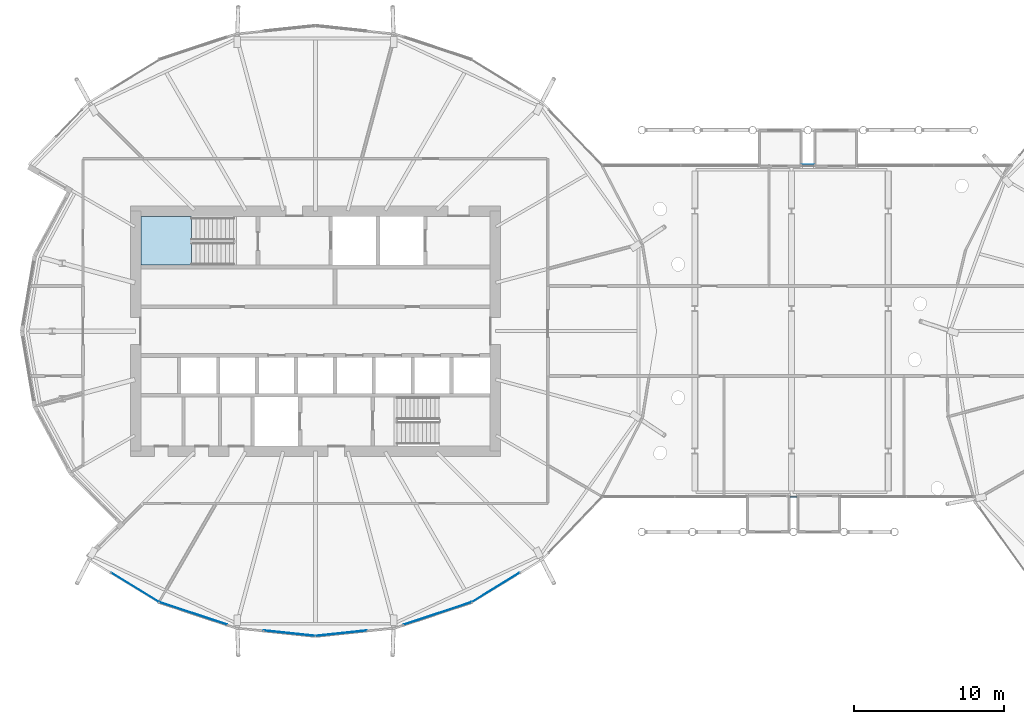
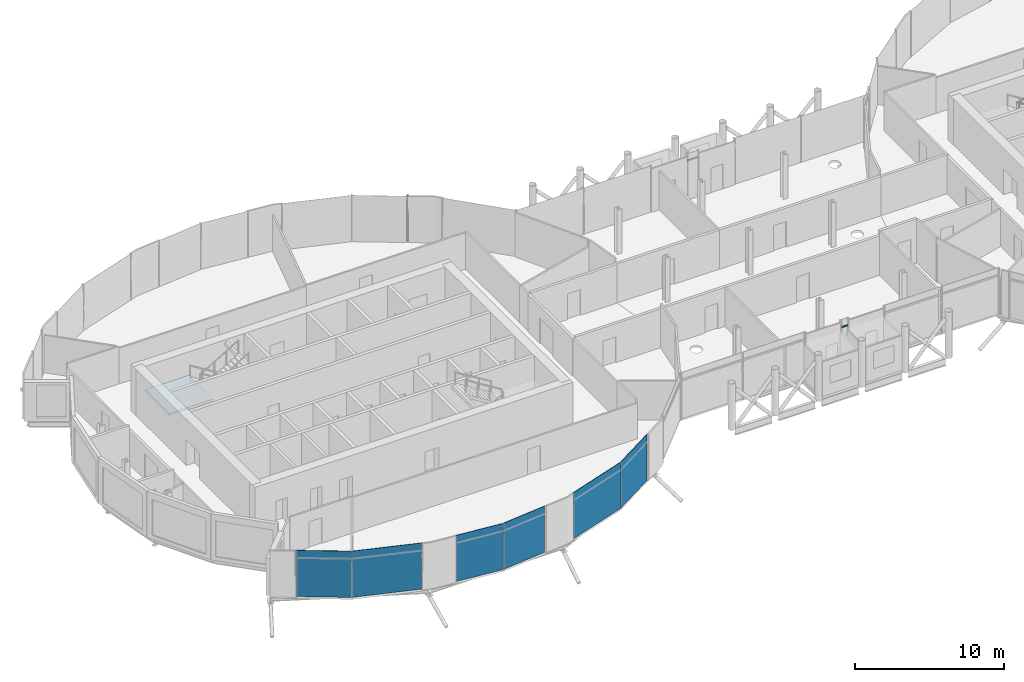
# One storey, part 19 of 40: 6 plates, 2 members, 1 slab, 4 elements without a shape of their own.
"""IFC4 building model written with IfcOpenShell, lengths in metres."""

from ifc_helpers import new_model, si_unit, direction, frame, origin, origin_2d, place, context, subcontext, project, spatial, polyline, rectangle, outline, extrude, material, layer, layer_set, material_profile, profile_set, type_object, element, aggregate, save


model = new_model("IFC4")

# Units and contexts
model_context = context("Model", 3, precision=1e-05, world=origin(), true_north=direction((0.0, 1.0)))
body_context = subcontext(model_context, "Body", "Model", "MODEL_VIEW")
ifc_project = project(units=[si_unit("LENGTHUNIT", "METRE"), si_unit("AREAUNIT", "SQUARE_METRE"), si_unit("VOLUMEUNIT", "CUBIC_METRE"), si_unit("PLANEANGLEUNIT", "RADIAN"), si_unit("MASSUNIT", "GRAM", prefix="KILO")], contexts=[model_context])

# Site, building, storey
site_placement = place(None, origin())
site = spatial("IfcSite", under=ifc_project, at=site_placement, CompositionType="ELEMENT")
building_placement = place(site_placement, origin())
building = spatial("IfcBuilding", under=site, at=building_placement, Name="Rimbun Link Towers", CompositionType="ELEMENT")
storey_placement = place(building_placement, frame((0.0, 0.0, 150.60009765625)))
storey = spatial("IfcBuildingStorey", under=building, at=storey_placement, Name="L36", CompositionType="ELEMENT", Elevation=150.60009765625)

# Curtain wall, member
ifc_material_1 = material(Name="Aluminium 6063-T6 and low-iron glass", Category="aluminium")
curtain_wall_type = type_object("IfcCurtainWallType", Name="CW4 link block wall", PredefinedType="NOTDEFINED", material=ifc_material_1)
curtain_wall_1_placement = place(storey_placement, origin())
curtain_wall_1 = element("IfcCurtainWall", 1, at=curtain_wall_1_placement, inside=storey, type_object=curtain_wall_type, Name="CW4 L36 LB", PredefinedType="NOTDEFINED")
ifc_material_2 = material(Name="Aluminium 6063-T6", Category="aluminium")
ifc_material_profile = material_profile(ifc_material_2, rectangle(XDim=0.06005859375, YDim=0.1201171875, at=origin_2d()), Name="TRANSOM 60X120")
ifc_profile_set = profile_set([ifc_material_profile], Name="Aluminium 6063-T6")
member_type = type_object("IfcMemberType", Name="CW4 transom 60X120", PredefinedType="USERDEFINED", material=ifc_profile_set)
member_1_placement = place(storey_placement, frame((0.6767578125, 11.05810546875, 3.199951171875), z_axis=(1.0, 0.0, 0.0), x_axis=(0.0, 1.0, 0.0)))
member_1 = element("IfcMember", 2, at=member_1_placement, type_object=member_type, Name="CW4 transom", ObjectType="TRANSOM", PredefinedType="USERDEFINED", context=body_context, shape_type="SweptSolid", body=[
    extrude(rectangle(XDim=0.06005859375, YDim=0.1201171875, at=origin_2d()), origin(), (0.0, 0.0, 1.0), 0.830078125),
])
aggregate(curtain_wall_1, [member_1])

curtain_wall_2_placement = place(storey_placement, origin())
curtain_wall_2 = element("IfcCurtainWall", 3, at=curtain_wall_2_placement, inside=storey, type_object=curtain_wall_type, Name="CW4 L36 LB", PredefinedType="NOTDEFINED")
member_2_placement = place(storey_placement, frame((0.38330078125, -11.05810546875, 3.199951171875), z_axis=(-1.0, 0.0, 0.0), x_axis=(0.0, -1.0, 0.0)))
member_2 = element("IfcMember", 4, at=member_2_placement, type_object=member_type, Name="CW4 transom", ObjectType="TRANSOM", PredefinedType="USERDEFINED", context=body_context, shape_type="SweptSolid", body=[
    extrude(rectangle(XDim=0.06005859375, YDim=0.1201171875, at=origin_2d()), origin(), (0.0, 0.0, 1.0), 0.509033203125),
])
aggregate(curtain_wall_2, [member_2])

# Curtain wall, plates
curtain_wall_3_placement = place(storey_placement, origin())
curtain_wall_3 = element("IfcCurtainWall", 5, at=curtain_wall_3_placement, inside=storey, type_object=curtain_wall_type, Name="CW4 L36 T1", PredefinedType="NOTDEFINED")
ifc_material_3 = material(Name="Low-iron glass, laminated low-e unit", Category="glass")
ifc_layer_1 = layer(ifc_material_3, 0.028076171875)
ifc_layer_set_1 = layer_set([ifc_layer_1], Name="CW4 panel Low-iron glass 28")
plate_type = type_object("IfcPlateType", Name="CW4 panel Low-iron glass 28", PredefinedType="CURTAIN_PANEL", material=ifc_layer_set_1)
plate_1_placement = place(storey_placement, frame((-43.7802734375, -17.088623046875, 0.0), z_axis=(0.0, 0.0, 1.0), x_axis=(-0.852194346217, 0.523225378089, 0.0)))
plate_1 = element("IfcPlate", 6, at=plate_1_placement, type_object=plate_type, Name="CW4 panel", PredefinedType="CURTAIN_PANEL", context=body_context, shape_type="SweptSolid", body=[
    extrude(rectangle(XDim=3.708740234375, YDim=0.028076171875, at=origin_2d()), origin(), (0.0, 0.0, 1.0), 3.800048828125),
])
plate_2_placement = place(storey_placement, frame((-39.89892578125, -18.82666015625, 0.0), z_axis=(0.0, 0.0, 1.0), x_axis=(-0.949234953763, 0.314567961741, 0.0)))
plate_2 = element("IfcPlate", 7, at=plate_2_placement, type_object=plate_type, Name="CW4 panel", PredefinedType="CURTAIN_PANEL", context=body_context, shape_type="SweptSolid", body=[
    extrude(rectangle(XDim=4.765869140625, YDim=0.028076171875, at=origin_2d()), origin(), (0.0, 0.0, 1.0), 3.800048828125),
])
plate_3_placement = place(storey_placement, frame((-33.478515625, -20.147705078125, 0.0), z_axis=(0.0, 0.0, 1.0), x_axis=(-0.994499069305, 0.104745411125, 0.0)))
plate_3 = element("IfcPlate", 8, at=plate_3_placement, type_object=plate_type, Name="CW4 panel", PredefinedType="CURTAIN_PANEL", context=body_context, shape_type="SweptSolid", body=[
    extrude(rectangle(XDim=3.433349609375, YDim=0.028076171875, at=origin_2d()), origin(), (0.0, 0.0, 1.0), 3.800048828125),
])
plate_4_placement = place(storey_placement, frame((-30.021484375, -20.147705078125, 0.0), z_axis=(0.0, 0.0, 1.0), x_axis=(-0.994499069305, -0.104745411125, 0.0)))
plate_4 = element("IfcPlate", 9, at=plate_4_placement, type_object=plate_type, Name="CW4 panel", PredefinedType="CURTAIN_PANEL", context=body_context, shape_type="SweptSolid", body=[
    extrude(rectangle(XDim=3.433349609375, YDim=0.028076171875, at=origin_2d()), origin(), (0.0, 0.0, 1.0), 3.800048828125),
])
plate_5_placement = place(storey_placement, frame((-23.60107421875, -18.82666015625, 0.0), z_axis=(0.0, 0.0, 1.0), x_axis=(-0.949234953763, -0.314567961741, 0.0)))
plate_5 = element("IfcPlate", 10, at=plate_5_placement, type_object=plate_type, Name="CW4 panel", PredefinedType="CURTAIN_PANEL", context=body_context, shape_type="SweptSolid", body=[
    extrude(rectangle(XDim=4.765869140625, YDim=0.028076171875, at=origin_2d()), origin(), (0.0, 0.0, 1.0), 3.800048828125),
])
plate_6_placement = place(storey_placement, frame((-19.7197265625, -17.088623046875, 0.0), z_axis=(0.0, 0.0, 1.0), x_axis=(-0.852194346217, -0.523225378089, 0.0)))
plate_6 = element("IfcPlate", 11, at=plate_6_placement, type_object=plate_type, Name="CW4 panel", PredefinedType="CURTAIN_PANEL", context=body_context, shape_type="SweptSolid", body=[
    extrude(rectangle(XDim=3.708740234375, YDim=0.028076171875, at=origin_2d()), origin(), (0.0, 0.0, 1.0), 3.800048828125),
])
aggregate(curtain_wall_3, [plate_1, plate_2, plate_3, plate_4, plate_5, plate_6])

# Stair, slab
ifc_material_4 = material(Name="Concrete C40/50", Category="concrete")
stair_type = type_object("IfcStairType", Name="Exit stair 3800 rise", PredefinedType="HALF_TURN_STAIR", material=ifc_material_4)
stair_placement = place(storey_placement, origin())
stair = element("IfcStair", 12, at=stair_placement, inside=storey, type_object=stair_type, Name="L36 EXIT STAIR A", PredefinedType="HALF_TURN_STAIR")
ifc_material_5 = material(Name="Concrete C40/50", Category="concrete")
ifc_layer_2 = layer(ifc_material_5, 0.199951171875)
ifc_layer_set_2 = layer_set([ifc_layer_2], Name="Stair landing")
slab_type = type_object("IfcSlabType", Name="Stair landing", PredefinedType="LANDING", material=ifc_layer_set_2)
slab_placement = place(storey_placement, frame((0.0, 0.0, 1.699951171875)))
slab = element("IfcSlab", 13, at=slab_placement, type_object=slab_type, Name="ST1 landing 1", PredefinedType="LANDING", context=body_context, shape_type="SweptSolid", body=[
    extrude(outline(polyline([(-40.0, 7.64990234375), (-43.39990234375, 7.64990234375), (-43.39990234375, 4.39990234375), (-40.0, 4.39990234375), (-40.0, 7.64990234375)])), origin(), (0.0, 0.0, 1.0), 0.199951171875),
])
aggregate(stair, [slab])

save(model, "model.ifc")
